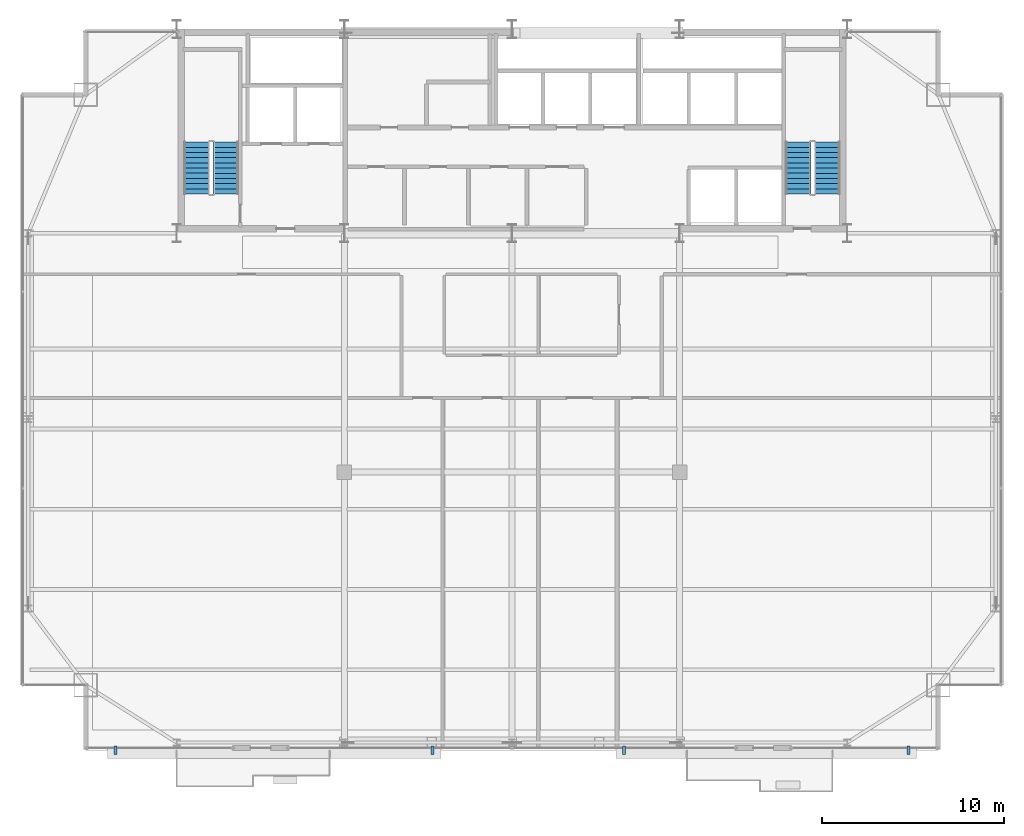
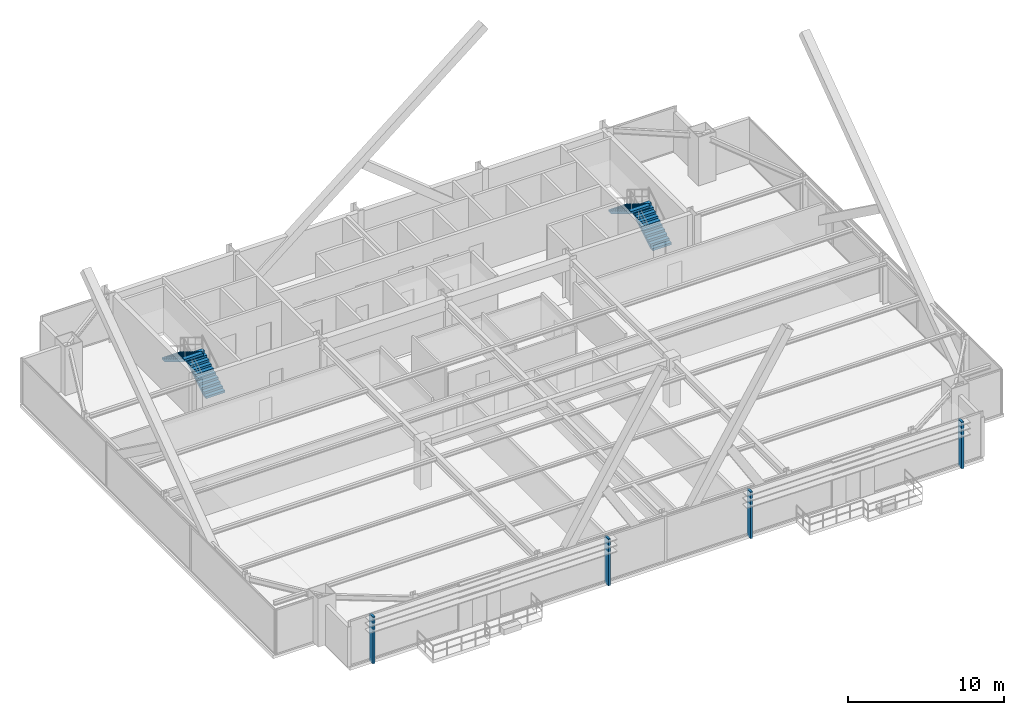
# One storey, part 32 of 34: 4 discrete accessories, 4 stair flights, 2 elements without a shape of their own.
"""IFC4 building model written with IfcOpenShell, lengths in metres."""

from ifc_helpers import new_model, si_unit, direction, frame, origin, origin_2d, place, context, subcontext, project, spatial, polyline, rectangle, outline, extrude, source, transform, mapped, material, layer, layer_set, type_object, type_shapes, element, aggregate, save


model = new_model("IFC4")

# Units and contexts
model_context = context("Model", 3, precision=1e-05, world=origin(), true_north=direction((0.0, 1.0)))
body_context = subcontext(model_context, "Body", "Model", "MODEL_VIEW")
ifc_project = project(units=[si_unit("LENGTHUNIT", "METRE"), si_unit("AREAUNIT", "SQUARE_METRE"), si_unit("VOLUMEUNIT", "CUBIC_METRE"), si_unit("PLANEANGLEUNIT", "RADIAN"), si_unit("MASSUNIT", "GRAM", prefix="KILO")], contexts=[model_context])

# Site, building, storey
site_placement = place(None, origin())
site = spatial("IfcSite", under=ifc_project, at=site_placement, CompositionType="ELEMENT")
building_placement = place(site_placement, origin())
building = spatial("IfcBuilding", under=site, at=building_placement, Name="Varnel Quay Broadcast Tower", CompositionType="ELEMENT")
storey_placement = place(building_placement, frame((0.0, 0.0, 161.0)))
storey = spatial("IfcBuildingStorey", under=building, at=storey_placement, Name="L39", CompositionType="ELEMENT", Elevation=161.0)

# Stair, stair flights
ifc_material_1 = material(Name="Precast Structural Concrete C40/50", Category="concrete")
stair_type_1 = type_object("IfcStairType", Name="Stair_ST-01", PredefinedType="HALF_TURN_STAIR", material=ifc_material_1)
stair_1_placement = place(storey_placement, origin())
stair_1 = element("IfcStair", 1, at=stair_1_placement, inside=storey, type_object=stair_type_1, Name="L39 West Core Exit Stair 1", PredefinedType="HALF_TURN_STAIR")
stair_flight_type_1 = type_object("IfcStairFlightType", Name="Flight_ST-01", PredefinedType="STRAIGHT", material=ifc_material_1)
stair_flight_1_placement = place(storey_placement, frame((18.300048828125, 37.75, 0.0), z_axis=(0.0, 0.0, 1.0), x_axis=(0.0, 1.0, 0.0)))
stair_flight_1 = element("IfcStairFlight", 2, at=stair_flight_1_placement, type_object=stair_flight_type_1, Name="ST-01 flight 1", NumberOfRisers=11, NumberOfTreads=10, PredefinedType="STRAIGHT", RiserHeight=0.172727273, TreadLength=0.285, context=body_context, shape_type="SweptSolid", body=[
    extrude(outline(polyline([(0.0, 0.0), (0.0, 0.172607421875), (0.284912109375, 0.172607421875), (0.284912109375, 0.345458984375), (0.570068359375, 0.345458984375), (0.570068359375, 0.51806640625), (0.85498046875, 0.51806640625), (0.85498046875, 0.69091796875), (1.139892578125, 0.69091796875), (1.139892578125, 0.863525390625), (1.425048828125, 0.863525390625), (1.425048828125, 1.036376953125), (1.7099609375, 1.036376953125), (1.7099609375, 1.208984375), (1.9951171875, 1.208984375), (1.9951171875, 1.3818359375), (2.280029296875, 1.3818359375), (2.280029296875, 1.554443359375), (2.56494140625, 1.554443359375), (2.56494140625, 1.727294921875), (2.85009765625, 1.727294921875), (2.85009765625, 1.89990234375), (2.85009765625, 1.552001953125), (0.289306640625, 0.0), (0.0, 0.0)])), frame((0.0, 0.699951171875, 0.0), z_axis=(0.0, -1.0, 0.0), x_axis=(1.0, 0.0, 0.0)), (0.0, 0.0, 1.0), 1.39990234375),
])
stair_flight_2_placement = place(storey_placement, frame((16.699951171875, 40.60009765625, 1.89990234375), z_axis=(0.0, 0.0, 1.0), x_axis=(0.0, -1.0, 0.0)))
stair_flight_2 = element("IfcStairFlight", 3, at=stair_flight_2_placement, type_object=stair_flight_type_1, Name="ST-01 flight 2", NumberOfRisers=11, NumberOfTreads=10, PredefinedType="STRAIGHT", RiserHeight=0.172727273, TreadLength=0.285, context=body_context, shape_type="SweptSolid", body=[
    extrude(outline(polyline([(0.0, 0.0), (0.0, 0.172607421875), (0.284912109375, 0.172607421875), (0.284912109375, 0.345458984375), (0.570068359375, 0.345458984375), (0.570068359375, 0.51806640625), (0.85498046875, 0.51806640625), (0.85498046875, 0.69091796875), (1.139892578125, 0.69091796875), (1.139892578125, 0.863525390625), (1.425048828125, 0.863525390625), (1.425048828125, 1.036376953125), (1.7099609375, 1.036376953125), (1.7099609375, 1.208984375), (1.9951171875, 1.208984375), (1.9951171875, 1.3818359375), (2.280029296875, 1.3818359375), (2.280029296875, 1.554443359375), (2.56494140625, 1.554443359375), (2.56494140625, 1.727294921875), (2.85009765625, 1.727294921875), (2.85009765625, 1.89990234375), (2.85009765625, 1.552001953125), (0.289306640625, 0.0), (0.0, 0.0)])), frame((0.0, 0.699951171875, 0.0), z_axis=(0.0, -1.0, 0.0), x_axis=(1.0, 0.0, 0.0)), (0.0, 0.0, 1.0), 1.39990234375),
])
aggregate(stair_1, [stair_flight_1, stair_flight_2])

stair_type_2 = type_object("IfcStairType", Name="Stair_ST-02", PredefinedType="HALF_TURN_STAIR", material=ifc_material_1)
stair_2_placement = place(storey_placement, origin())
stair_2 = element("IfcStair", 4, at=stair_2_placement, inside=storey, type_object=stair_type_2, Name="L39 East Core Exit Stair 2", PredefinedType="HALF_TURN_STAIR")
stair_flight_type_2 = type_object("IfcStairFlightType", Name="Flight_ST-02", PredefinedType="STRAIGHT", material=ifc_material_1)
stair_flight_3_placement = place(storey_placement, frame((51.300048828125, 37.75, 0.0), z_axis=(0.0, 0.0, 1.0), x_axis=(0.0, 1.0, 0.0)))
stair_flight_3 = element("IfcStairFlight", 5, at=stair_flight_3_placement, type_object=stair_flight_type_2, Name="ST-02 flight 1", NumberOfRisers=11, NumberOfTreads=10, PredefinedType="STRAIGHT", RiserHeight=0.172727273, TreadLength=0.285, context=body_context, shape_type="SweptSolid", body=[
    extrude(outline(polyline([(0.0, 0.0), (0.0, 0.172607421875), (0.284912109375, 0.172607421875), (0.284912109375, 0.345458984375), (0.570068359375, 0.345458984375), (0.570068359375, 0.51806640625), (0.85498046875, 0.51806640625), (0.85498046875, 0.69091796875), (1.139892578125, 0.69091796875), (1.139892578125, 0.863525390625), (1.425048828125, 0.863525390625), (1.425048828125, 1.036376953125), (1.7099609375, 1.036376953125), (1.7099609375, 1.208984375), (1.9951171875, 1.208984375), (1.9951171875, 1.3818359375), (2.280029296875, 1.3818359375), (2.280029296875, 1.554443359375), (2.56494140625, 1.554443359375), (2.56494140625, 1.727294921875), (2.85009765625, 1.727294921875), (2.85009765625, 1.89990234375), (2.85009765625, 1.552001953125), (0.289306640625, 0.0), (0.0, 0.0)])), frame((0.0, 0.699951171875, 0.0), z_axis=(0.0, -1.0, 0.0), x_axis=(1.0, 0.0, 0.0)), (0.0, 0.0, 1.0), 1.39990234375),
])
stair_flight_4_placement = place(storey_placement, frame((49.699951171875, 40.60009765625, 1.89990234375), z_axis=(0.0, 0.0, 1.0), x_axis=(0.0, -1.0, 0.0)))
stair_flight_4 = element("IfcStairFlight", 6, at=stair_flight_4_placement, type_object=stair_flight_type_2, Name="ST-02 flight 2", NumberOfRisers=11, NumberOfTreads=10, PredefinedType="STRAIGHT", RiserHeight=0.172727273, TreadLength=0.285, context=body_context, shape_type="SweptSolid", body=[
    extrude(outline(polyline([(0.0, 0.0), (0.0, 0.172607421875), (0.284912109375, 0.172607421875), (0.284912109375, 0.345458984375), (0.570068359375, 0.345458984375), (0.570068359375, 0.51806640625), (0.85498046875, 0.51806640625), (0.85498046875, 0.69091796875), (1.139892578125, 0.69091796875), (1.139892578125, 0.863525390625), (1.425048828125, 0.863525390625), (1.425048828125, 1.036376953125), (1.7099609375, 1.036376953125), (1.7099609375, 1.208984375), (1.9951171875, 1.208984375), (1.9951171875, 1.3818359375), (2.280029296875, 1.3818359375), (2.280029296875, 1.554443359375), (2.56494140625, 1.554443359375), (2.56494140625, 1.727294921875), (2.85009765625, 1.727294921875), (2.85009765625, 1.89990234375), (2.85009765625, 1.552001953125), (0.289306640625, 0.0), (0.0, 0.0)])), frame((0.0, 0.699951171875, 0.0), z_axis=(0.0, -1.0, 0.0), x_axis=(1.0, 0.0, 0.0)), (0.0, 0.0, 1.0), 1.39990234375),
])
aggregate(stair_2, [stair_flight_3, stair_flight_4])

# Discrete accessories
ifc_material_2 = material(Name="Anodised Bronze Aluminium 6063-T6", Category="aluminium")
ifc_layer = layer(ifc_material_2, 0.47998046875, Name="Anodised Bronze Aluminium 6063-T6")
ifc_layer_set = layer_set([ifc_layer], Name="Anodised Bronze Aluminium 6063-T6")
discrete_accessory_type = type_object("IfcDiscreteAccessoryType", Name="Acc_FacadeBracket", PredefinedType="BRACKET", material=ifc_layer_set)
shared_shape = source(origin(), body_context, "Body", "SweptSolid", [
    extrude(rectangle(XDim=0.159912109375, YDim=0.47998046875, at=origin_2d()), origin(), (0.0, 0.0, 1.0), 3.64990234375),
])
type_shapes(discrete_accessory_type, [shared_shape])
for number, where, z_axis, x_axis, name in (
    (7, (12.25, 7.219970703125, -0.14990234375), (0.0, 0.0, 1.0), (1.0, 0.0, 0.0), "L39 Lobe 1 Louvre Support Bracket 1"),
    (8, (29.64501953125, 7.219970703125, -0.14990234375), (0.0, 0.0, 1.0), (1.0, 0.0, 0.0), "L39 Lobe 1 Louvre Support Bracket 2"),
    (9, (40.14501953125, 7.219970703125, -0.14990234375), (0.0, 0.0, 1.0), (1.0, 0.0, 0.0), "L39 Lobe 2 Louvre Support Bracket 1"),
    (10, (55.75, 7.219970703125, -0.14990234375), (0.0, 0.0, 1.0), (1.0, 0.0, 0.0), "L39 Lobe 2 Louvre Support Bracket 2"),
):
    element("IfcDiscreteAccessory", number, at=place(storey_placement, frame(where, z_axis=z_axis, x_axis=x_axis)), inside=storey, type_object=discrete_accessory_type, Name=name, PredefinedType="BRACKET", context=body_context, shape_type="MappedRepresentation", body=[
        mapped(shared_shape, transform((0.0, 0.0, 0.0), x_axis=(1.0, 0.0, 0.0), y_axis=(0.0, 1.0, 0.0), z_axis=(0.0, 0.0, 1.0), scale=1.0)),
    ])

save(model, "model.ifc")
